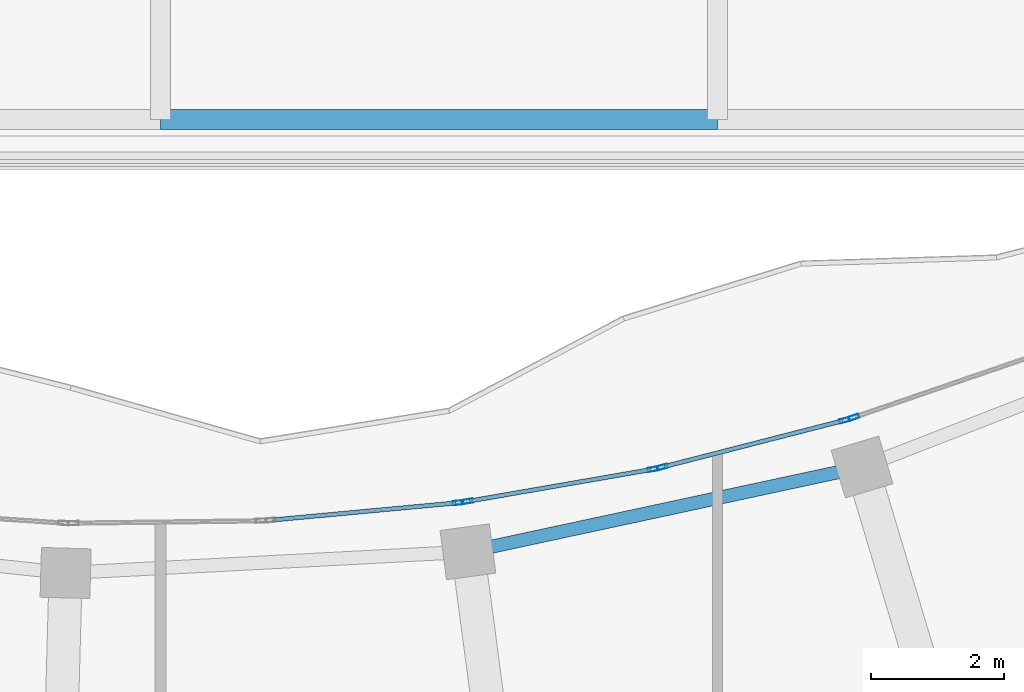
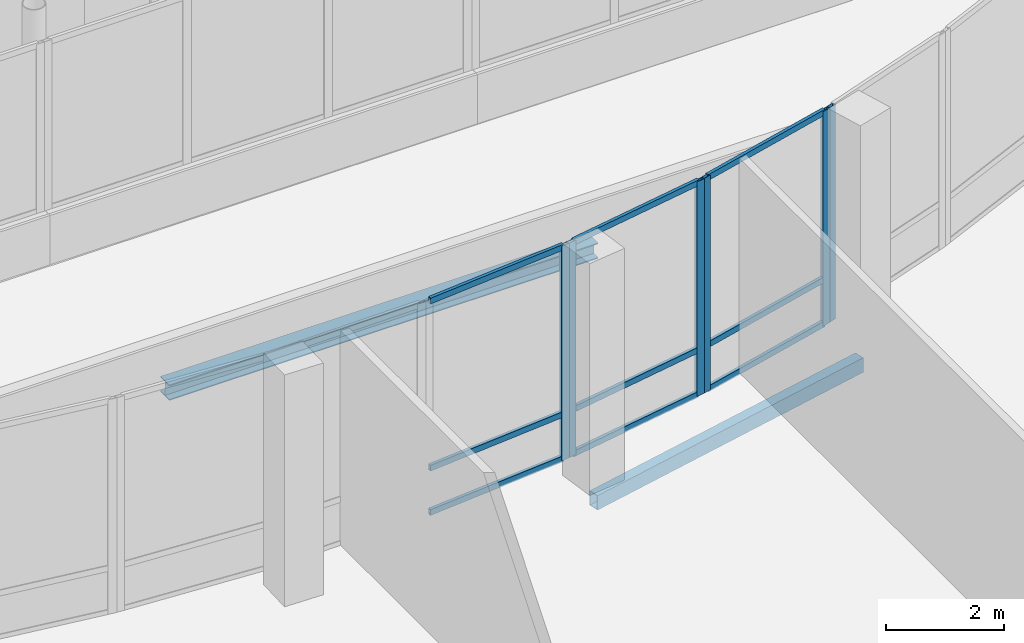
# One storey, part 35 of 168: 15 members, 2 beams, 4 elements without a shape of their own.
"""IFC4 building model written with IfcOpenShell, lengths in metres."""

from ifc_helpers import new_model, si_unit, direction, frame, origin, origin_2d, place, context, subcontext, project, spatial, hollow_rectangle, i_section, extrude, material, material_profile, profile_set, type_object, element, aggregate, save


model = new_model("IFC4")

# Units and contexts
model_context = context("Model", 3, precision=1e-05, world=origin(), true_north=direction((0.0, 1.0)))
body_context = subcontext(model_context, "Body", "Model", "MODEL_VIEW")
ifc_project = project(units=[si_unit("LENGTHUNIT", "METRE"), si_unit("AREAUNIT", "SQUARE_METRE"), si_unit("VOLUMEUNIT", "CUBIC_METRE"), si_unit("PLANEANGLEUNIT", "RADIAN"), si_unit("MASSUNIT", "GRAM", prefix="KILO")], contexts=[model_context])

# Site, building, storey
site_placement = place(None, origin())
site = spatial("IfcSite", under=ifc_project, at=site_placement, CompositionType="ELEMENT")
building_placement = place(site_placement, origin())
building = spatial("IfcBuilding", under=site, at=building_placement, Name="Selatvlak General Hospital", CompositionType="ELEMENT")
storey_placement = place(building_placement, frame((0.0, 0.0, 5.39990234375)))
storey = spatial("IfcBuildingStorey", under=building, at=storey_placement, Name="L01", CompositionType="ELEMENT", Elevation=5.39990234375)

# Beams
ifc_material_1 = material(Name="Steel S355", Category="steel")
ifc_material_profile_1 = material_profile(ifc_material_1, i_section(OverallWidth=0.300048828125, OverallDepth=0.320068359375, WebThickness=0.011474609375, FlangeThickness=0.0205078125, at=origin_2d()), Name="HEB 320")
ifc_profile_set_1 = profile_set([ifc_material_profile_1], Name="Steel S355")
beam_type_1 = type_object("IfcBeamType", Name="BM-CAN", PredefinedType="BEAM", material=ifc_profile_set_1)
beam_1_placement = place(storey_placement, frame((56.39990234375, 48.10009765625, -0.47998046875), z_axis=(1.0, 0.0, 0.0), x_axis=(0.0, 1.0, 0.0)))
element("IfcBeam", 1, at=beam_1_placement, inside=storey, type_object=beam_type_1, Name="Beam BMR-L01-2942", PredefinedType="BEAM", context=body_context, shape_type="SweptSolid", body=[
    extrude(i_section(OverallWidth=0.300048828125, OverallDepth=0.320068359375, WebThickness=0.011474609375, FlangeThickness=0.0205078125, at=origin_2d()), origin(), (0.0, 0.0, 1.0), 8.400146484375),
])
ifc_material_profile_2 = material_profile(ifc_material_1, hollow_rectangle(XDim=0.199951171875, YDim=0.300048828125, WallThickness=0.011962890625, at=origin_2d()), Name="RHS 300x200x12")
ifc_profile_set_2 = profile_set([ifc_material_profile_2], Name="Steel S355")
beam_type_2 = type_object("IfcBeamType", Name="BM-SP3", PredefinedType="SPANDREL", material=ifc_profile_set_2)
beam_2_placement = place(storey_placement, frame((61.034912109375, 41.5830078125, -0.469970703125), z_axis=(0.977655854443, 0.210211869964, 0.0), x_axis=(-0.210211869964, 0.977655854443, 0.0)))
element("IfcBeam", 2, at=beam_2_placement, inside=storey, type_object=beam_type_2, Name="Beam BMR-L01-0740", PredefinedType="SPANDREL", context=body_context, shape_type="SweptSolid", body=[
    extrude(hollow_rectangle(XDim=0.199951171875, YDim=0.300048828125, WallThickness=0.011962890625, at=origin_2d()), origin(), (0.0, 0.0, 1.0), 6.079833984375),
])

# Curtain wall, member
ifc_material_2 = material(Name="Solar-control Low-E double glazing", Category="glass")
curtain_wall_type_1 = type_object("IfcCurtainWallType", Name="CW-CW-01", PredefinedType="USERDEFINED", material=ifc_material_2)
curtain_wall_1_placement = place(storey_placement, origin())
curtain_wall_1 = element("IfcCurtainWall", 3, at=curtain_wall_1_placement, inside=storey, type_object=curtain_wall_type_1, Name="Glazed facade curtain wall CW-L01-0199", ObjectType="UNITISED CURTAIN WALL", PredefinedType="USERDEFINED")
ifc_material_3 = material(Name="Dark anodised aluminium mullion", Category="aluminium")
ifc_material_profile_3 = material_profile(ifc_material_3, hollow_rectangle(XDim=0.06494140625, YDim=0.159912109375, WallThickness=0.00390625, at=origin_2d()), Name="AL-MUL 65x160x4")
ifc_profile_set_3 = profile_set([ifc_material_profile_3], Name="Dark anodised aluminium mullion")
member_type_1 = type_object("IfcMemberType", Name="CWM-01", PredefinedType="MULLION", material=ifc_profile_set_3)
member_1_placement = place(storey_placement, frame((60.88671875, 42.322021484375, 0.0), z_axis=(0.0, 0.0, 1.0), x_axis=(-0.092369074668, 0.99572483852, 0.0)))
member_1 = element("IfcMember", 4, at=member_1_placement, type_object=member_type_1, Name="CW-01 mullion 2", PredefinedType="MULLION", context=body_context, shape_type="SweptSolid", body=[
    extrude(hollow_rectangle(XDim=0.06494140625, YDim=0.159912109375, WallThickness=0.00390625, at=origin_2d()), origin(), (0.0, 0.0, 1.0), 4.445068359375),
])

# Curtain wall, members
curtain_wall_type_2 = type_object("IfcCurtainWallType", Name="CW-CW-02", PredefinedType="USERDEFINED", material=ifc_material_2)
curtain_wall_2_placement = place(storey_placement, origin())
curtain_wall_2 = element("IfcCurtainWall", 5, at=curtain_wall_2_placement, inside=storey, type_object=curtain_wall_type_2, Name="Glazed facade curtain wall CW-L01-0200", ObjectType="UNITISED CURTAIN WALL", PredefinedType="USERDEFINED")
member_2_placement = place(storey_placement, frame((61.030029296875, 42.343505859375, 0.0), z_axis=(0.0, 0.0, 1.0), x_axis=(-0.170657302344, 0.985330444651, 0.0)))
member_2 = element("IfcMember", 6, at=member_2_placement, type_object=member_type_1, Name="CW-02 mullion 1", PredefinedType="MULLION", context=body_context, shape_type="SweptSolid", body=[
    extrude(hollow_rectangle(XDim=0.06494140625, YDim=0.159912109375, WallThickness=0.00390625, at=origin_2d()), origin(), (0.0, 0.0, 1.0), 4.445068359375),
])
member_3_placement = place(storey_placement, frame((63.823974609375, 42.827392578125, 0.0), z_axis=(0.0, 0.0, 1.0), x_axis=(-0.170657302344, 0.985330444651, 0.0)))
member_3 = element("IfcMember", 7, at=member_3_placement, type_object=member_type_1, Name="CW-02 mullion 2", PredefinedType="MULLION", context=body_context, shape_type="SweptSolid", body=[
    extrude(hollow_rectangle(XDim=0.06494140625, YDim=0.159912109375, WallThickness=0.00390625, at=origin_2d()), origin(), (0.0, 0.0, 1.0), 4.445068359375),
])

curtain_wall_3_placement = place(storey_placement, origin())
curtain_wall_3 = element("IfcCurtainWall", 8, at=curtain_wall_3_placement, inside=storey, type_object=curtain_wall_type_1, Name="Glazed facade curtain wall CW-L01-0201", ObjectType="UNITISED CURTAIN WALL", PredefinedType="USERDEFINED")
member_4_placement = place(storey_placement, frame((63.965576171875, 42.860107421875, 0.0), z_axis=(0.0, 0.0, 1.0), x_axis=(-0.248607304863, 0.968604360907, 0.0)))
member_4 = element("IfcMember", 9, at=member_4_placement, type_object=member_type_1, Name="CW-01 mullion 1", PredefinedType="MULLION", context=body_context, shape_type="SweptSolid", body=[
    extrude(hollow_rectangle(XDim=0.06494140625, YDim=0.159912109375, WallThickness=0.00390625, at=origin_2d()), origin(), (0.0, 0.0, 1.0), 4.445068359375),
])
member_5_placement = place(storey_placement, frame((66.715576171875, 43.56591796875, 0.0), z_axis=(0.0, 0.0, 1.0), x_axis=(-0.248607304863, 0.968604360907, 0.0)))
member_5 = element("IfcMember", 10, at=member_5_placement, type_object=member_type_1, Name="CW-01 mullion 2", PredefinedType="MULLION", context=body_context, shape_type="SweptSolid", body=[
    extrude(hollow_rectangle(XDim=0.06494140625, YDim=0.159912109375, WallThickness=0.00390625, at=origin_2d()), origin(), (0.0, 0.0, 1.0), 4.445068359375),
])

# Curtain wall, member
curtain_wall_4_placement = place(storey_placement, origin())
curtain_wall_4 = element("IfcCurtainWall", 11, at=curtain_wall_4_placement, inside=storey, type_object=curtain_wall_type_2, Name="Glazed facade curtain wall CW-L01-0202", ObjectType="UNITISED CURTAIN WALL", PredefinedType="USERDEFINED")
member_6_placement = place(storey_placement, frame((66.853759765625, 43.609619140625, 0.0), z_axis=(0.0, 0.0, 1.0), x_axis=(-0.324491825998, 0.945888500226, 0.0)))
member_6 = element("IfcMember", 12, at=member_6_placement, type_object=member_type_1, Name="CW-02 mullion 1", PredefinedType="MULLION", context=body_context, shape_type="SweptSolid", body=[
    extrude(hollow_rectangle(XDim=0.06494140625, YDim=0.159912109375, WallThickness=0.00390625, at=origin_2d()), origin(), (0.0, 0.0, 1.0), 4.445068359375),
])
aggregate(curtain_wall_4, [member_6])

# Member
ifc_material_profile_4 = material_profile(ifc_material_3, hollow_rectangle(XDim=0.06494140625, YDim=0.1201171875, WallThickness=0.00390625, at=origin_2d()), Name="AL-TRN 65x120x4")
ifc_profile_set_4 = profile_set([ifc_material_profile_4], Name="Dark anodised aluminium mullion")
member_type_2 = type_object("IfcMemberType", Name="CWT-01", PredefinedType="USERDEFINED", material=ifc_profile_set_4)
member_7_placement = place(storey_placement, frame((58.0947265625, 42.06298828125, 0.03271484375), z_axis=(0.995721031907, 0.092410100192, 0.0), x_axis=(-0.092410100192, 0.995721031907, 0.0)))
member_7 = element("IfcMember", 13, at=member_7_placement, type_object=member_type_2, Name="CW-01 transom 1.1", ObjectType="TRANSOM", PredefinedType="USERDEFINED", context=body_context, shape_type="SweptSolid", body=[
    extrude(hollow_rectangle(XDim=0.06494140625, YDim=0.1201171875, WallThickness=0.00390625, at=origin_2d()), origin(), (0.0, 0.0, 1.0), 2.771484375),
])

member_8_placement = place(storey_placement, frame((58.0947265625, 42.06298828125, 0.9501953125), z_axis=(0.995721031907, 0.092410100192, 0.0), x_axis=(-0.092410100192, 0.995721031907, 0.0)))
member_8 = element("IfcMember", 14, at=member_8_placement, type_object=member_type_2, Name="CW-01 transom 1.2", ObjectType="TRANSOM", PredefinedType="USERDEFINED", context=body_context, shape_type="SweptSolid", body=[
    extrude(hollow_rectangle(XDim=0.06494140625, YDim=0.1201171875, WallThickness=0.00390625, at=origin_2d()), origin(), (0.0, 0.0, 1.0), 2.771484375),
])

member_9_placement = place(storey_placement, frame((58.0947265625, 42.06298828125, 4.41259765625), z_axis=(0.995721031907, 0.092410100192, 0.0), x_axis=(-0.092410100192, 0.995721031907, 0.0)))
member_9 = element("IfcMember", 15, at=member_9_placement, type_object=member_type_2, Name="CW-01 transom 1.3", ObjectType="TRANSOM", PredefinedType="USERDEFINED", context=body_context, shape_type="SweptSolid", body=[
    extrude(hollow_rectangle(XDim=0.06494140625, YDim=0.1201171875, WallThickness=0.00390625, at=origin_2d()), origin(), (0.0, 0.0, 1.0), 2.771484375),
])

aggregate(curtain_wall_1, [member_1, member_7, member_8, member_9])

member_10_placement = place(storey_placement, frame((61.06201171875, 42.34912109375, 0.03271484375), z_axis=(0.985326006405, 0.170682925631, 0.0), x_axis=(-0.170682925631, 0.985326006405, 0.0)))
member_10 = element("IfcMember", 16, at=member_10_placement, type_object=member_type_2, Name="CW-02 transom 1.1", ObjectType="TRANSOM", PredefinedType="USERDEFINED", context=body_context, shape_type="SweptSolid", body=[
    extrude(hollow_rectangle(XDim=0.06494140625, YDim=0.1201171875, WallThickness=0.00390625, at=origin_2d()), origin(), (0.0, 0.0, 1.0), 2.770751953125),
])

member_11_placement = place(storey_placement, frame((61.06201171875, 42.34912109375, 0.9501953125), z_axis=(0.985326006405, 0.170682925631, 0.0), x_axis=(-0.170682925631, 0.985326006405, 0.0)))
member_11 = element("IfcMember", 17, at=member_11_placement, type_object=member_type_2, Name="CW-02 transom 1.2", ObjectType="TRANSOM", PredefinedType="USERDEFINED", context=body_context, shape_type="SweptSolid", body=[
    extrude(hollow_rectangle(XDim=0.06494140625, YDim=0.1201171875, WallThickness=0.00390625, at=origin_2d()), origin(), (0.0, 0.0, 1.0), 2.770751953125),
])

member_12_placement = place(storey_placement, frame((61.06201171875, 42.34912109375, 4.41259765625), z_axis=(0.985326006405, 0.170682925631, 0.0), x_axis=(-0.170682925631, 0.985326006405, 0.0)))
member_12 = element("IfcMember", 18, at=member_12_placement, type_object=member_type_2, Name="CW-02 transom 1.3", ObjectType="TRANSOM", PredefinedType="USERDEFINED", context=body_context, shape_type="SweptSolid", body=[
    extrude(hollow_rectangle(XDim=0.06494140625, YDim=0.1201171875, WallThickness=0.00390625, at=origin_2d()), origin(), (0.0, 0.0, 1.0), 2.770751953125),
])

aggregate(curtain_wall_2, [member_2, member_3, member_10, member_11, member_12])

member_13_placement = place(storey_placement, frame((63.9970703125, 42.8681640625, 0.03271484375), z_axis=(0.96860140011, 0.248618840206, 0.0), x_axis=(-0.248618840206, 0.96860140011, 0.0)))
member_13 = element("IfcMember", 19, at=member_13_placement, type_object=member_type_2, Name="CW-01 transom 1.1", ObjectType="TRANSOM", PredefinedType="USERDEFINED", context=body_context, shape_type="SweptSolid", body=[
    extrude(hollow_rectangle(XDim=0.06494140625, YDim=0.1201171875, WallThickness=0.00390625, at=origin_2d()), origin(), (0.0, 0.0, 1.0), 2.774169921875),
])

member_14_placement = place(storey_placement, frame((63.9970703125, 42.8681640625, 0.9501953125), z_axis=(0.96860140011, 0.248618840206, 0.0), x_axis=(-0.248618840206, 0.96860140011, 0.0)))
member_14 = element("IfcMember", 20, at=member_14_placement, type_object=member_type_2, Name="CW-01 transom 1.2", ObjectType="TRANSOM", PredefinedType="USERDEFINED", context=body_context, shape_type="SweptSolid", body=[
    extrude(hollow_rectangle(XDim=0.06494140625, YDim=0.1201171875, WallThickness=0.00390625, at=origin_2d()), origin(), (0.0, 0.0, 1.0), 2.774169921875),
])

member_15_placement = place(storey_placement, frame((63.9970703125, 42.8681640625, 4.41259765625), z_axis=(0.96860140011, 0.248618840206, 0.0), x_axis=(-0.248618840206, 0.96860140011, 0.0)))
member_15 = element("IfcMember", 21, at=member_15_placement, type_object=member_type_2, Name="CW-01 transom 1.3", ObjectType="TRANSOM", PredefinedType="USERDEFINED", context=body_context, shape_type="SweptSolid", body=[
    extrude(hollow_rectangle(XDim=0.06494140625, YDim=0.1201171875, WallThickness=0.00390625, at=origin_2d()), origin(), (0.0, 0.0, 1.0), 2.774169921875),
])

aggregate(curtain_wall_3, [member_4, member_5, member_13, member_14, member_15])

save(model, "model.ifc")
